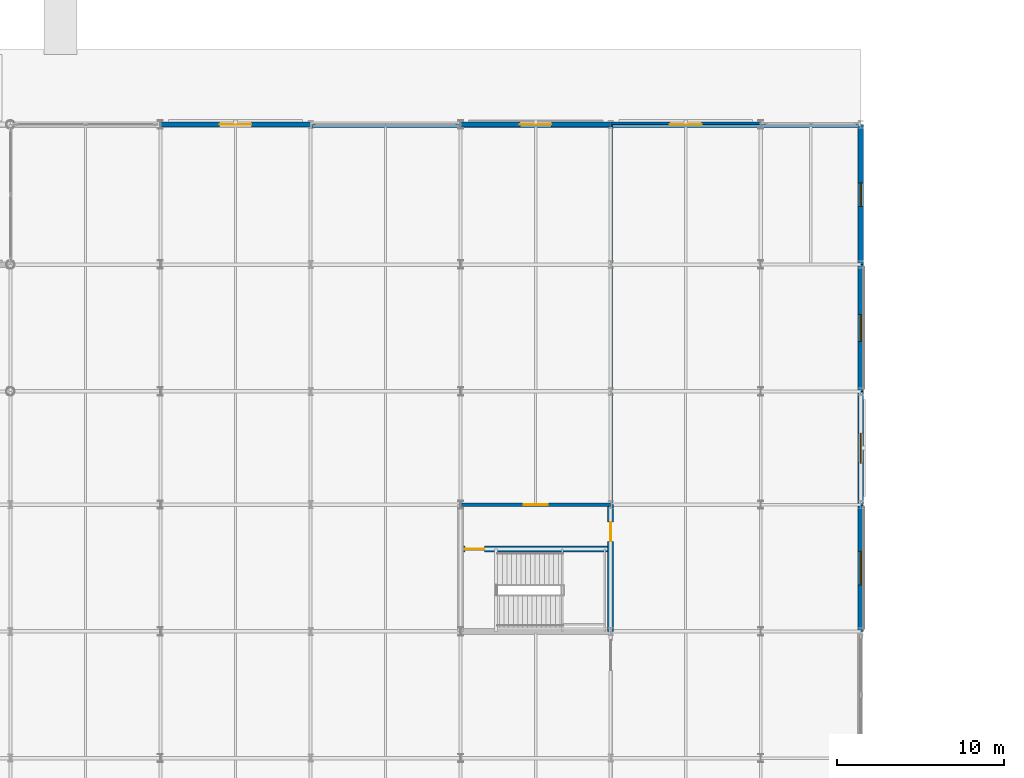
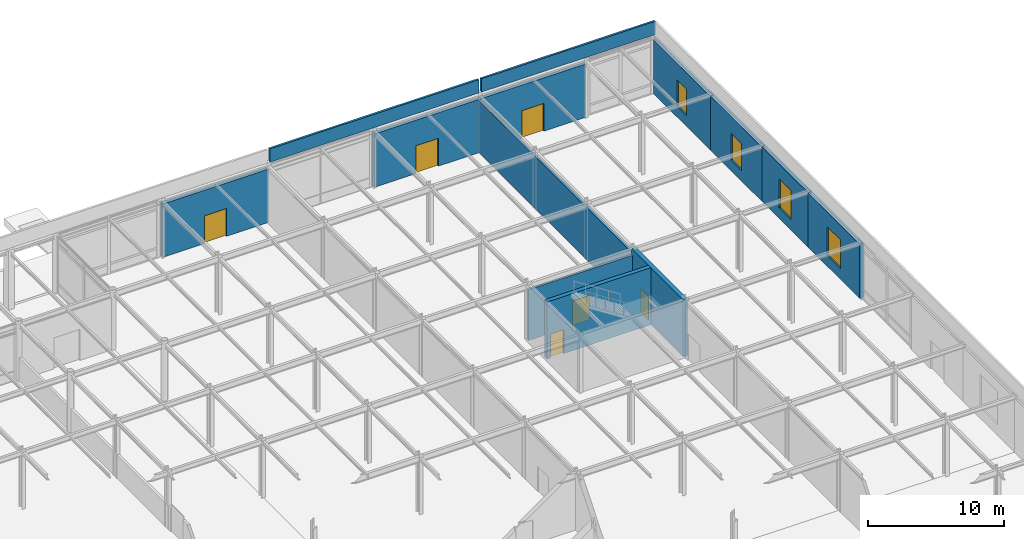
# One storey, part 72 of 89: 13 walls, 6 doors, 4 windows, 10 openings.
"""IFC4 building model written with IfcOpenShell, lengths in metres."""

from ifc_helpers import new_model, si_unit, direction, frame, frame_2d, origin, place, context, subcontext, project, spatial, rectangle, extrude, material, layer, layer_set, type_object, element, fill, save


model = new_model("IFC4")

# Units and contexts
model_context = context("Model", 3, precision=1e-05, world=origin(), true_north=direction((0.0, 1.0)))
body_context = subcontext(model_context, "Body", "Model", "MODEL_VIEW")
ifc_project = project(units=[si_unit("LENGTHUNIT", "METRE"), si_unit("AREAUNIT", "SQUARE_METRE"), si_unit("VOLUMEUNIT", "CUBIC_METRE"), si_unit("PLANEANGLEUNIT", "RADIAN"), si_unit("MASSUNIT", "GRAM", prefix="KILO")], contexts=[model_context])

# Site, building, storey
site_placement = place(None, origin())
site = spatial("IfcSite", under=ifc_project, at=site_placement, CompositionType="ELEMENT")
building_placement = place(site_placement, origin())
building = spatial("IfcBuilding", under=site, at=building_placement, Name="Shalkamar Park Central Library", CompositionType="ELEMENT")
storey_placement = place(building_placement, origin())
storey = spatial("IfcBuildingStorey", under=building, at=storey_placement, Name="L01", CompositionType="ELEMENT", Elevation=0.0)

# Wall, opening, door
ifc_material_1 = material(Name="Fire-rated corridor partition wall", Category="masonry")
ifc_layer_1 = layer(ifc_material_1, 0.199951171875)
ifc_layer_set_1 = layer_set([ifc_layer_1], Name="CorridorFireWall_200")
wall_type_1 = type_object("IfcWallType", Name="Corridor Fire Wall 200", PredefinedType="PARTITIONING", material=ifc_layer_set_1)
wall_1_placement = place(storey_placement, frame((264.0, 331.199951171875, 0.0), z_axis=(0.0, 0.0, 1.0), x_axis=(1.0, 0.0, 0.0)))
wall_1 = element("IfcWall", 1, at=wall_1_placement, inside=storey, type_object=wall_type_1, Name="CORE-P6 Vestibule North Wall (L01)", PredefinedType="PARTITIONING", context=body_context, shape_type="SweptSolid", body=[
    extrude(rectangle(XDim=9.0, YDim=0.199951171875, at=frame_2d((4.5, 0.0))), origin(), (0.0, 0.0, 1.0), 4.587890625),
])
opening_1_placement = place(wall_1_placement, frame((3.77490234375, 0.0, 0.0)))
opening_1 = element("IfcOpeningElement", 2, at=opening_1_placement, cuts=wall_1, Name="Opening DR-ST-P6-L01-VEST", PredefinedType="OPENING", context=body_context, shape_type="SweptSolid", body=[
    extrude(rectangle(XDim=1.449951171875, YDim=2.199951171875, at=frame_2d((0.72509765625, 1.10009765625))), frame((0.0, 0.11474609375, 0.0), z_axis=(0.0, -1.0, 0.0), x_axis=(1.0, 0.0, 0.0)), (0.0, 0.0, 1.0), 0.229736328125),
])
ifc_material_2 = material(Name="Steel S355", Category="steel")
door_type_1 = type_object("IfcDoorType", Name="Stair Vestibule Door 1450x2200", OperationType="DOUBLE_DOOR_SINGLE_SWING", PredefinedType="DOOR", material=ifc_material_2)
door_1_placement = place(opening_1_placement, origin())
door_1 = element("IfcDoor", 3, at=door_1_placement, inside=storey, type_object=door_type_1, Name="Protected Stair ST-P6 Vestibule Door (L01)", OperationType="DOUBLE_DOOR_SINGLE_SWING", OverallHeight=2.199951171875, OverallWidth=1.449951171875, PredefinedType="DOOR", context=body_context, shape_type="SweptSolid", body=[
    extrude(rectangle(XDim=1.449951171875, YDim=2.199951171875, at=frame_2d((0.72509765625, 1.10009765625))), frame((0.0, 0.02490234375, 0.0), z_axis=(0.0, -1.0, 0.0), x_axis=(1.0, 0.0, 0.0)), (0.0, 0.0, 1.0), 0.050048828125),
])
fill(opening_1, door_1)

# Wall
wall_2_placement = place(storey_placement, frame((273.0, 331.199951171875, 0.0), z_axis=(0.0, 0.0, 1.0), x_axis=(0.0, 1.0, 0.0)))
element("IfcWall", 4, at=wall_2_placement, inside=storey, type_object=wall_type_1, Name="Interior Partition WL-INT-L01-035-S2", PredefinedType="PARTITIONING", context=body_context, shape_type="SweptSolid", body=[
    extrude(rectangle(XDim=22.800048828125, YDim=0.199951171875, at=frame_2d((11.39990234375, 0.0))), origin(), (0.0, 0.0, 1.0), 4.697998046875),
])

# Wall, opening, door
ifc_material_3 = material(Name="Concrete C35/45 precast", Category="concrete")
ifc_layer_2 = layer(ifc_material_3, 0.320068359375)
ifc_layer_set_2 = layer_set([ifc_layer_2], Name="Concrete C35/45 precast")
wall_type_2 = type_object("IfcWallType", Name="Granite Plinth External Wall 320", PredefinedType="SOLIDWALL", material=ifc_layer_set_2)
wall_3_placement = place(storey_placement, frame((246.006103515625, 354.0, 0.0), z_axis=(0.0, 0.0, 1.0), x_axis=(1.0, 0.0, 0.0)))
wall_3 = element("IfcWall", 5, at=wall_3_placement, inside=storey, type_object=wall_type_2, Name="Exterior Facade Wall WL-EXT-L01-026", PredefinedType="SOLIDWALL", context=body_context, shape_type="SweptSolid", body=[
    extrude(rectangle(XDim=8.98779296875, YDim=0.320068359375, at=frame_2d((4.493896484375, 0.0))), origin(), (0.0, 0.0, 1.0), 4.798095703125),
])
opening_2_placement = place(wall_3_placement, frame((3.5439453125, 0.0, 0.0)))
opening_2 = element("IfcOpeningElement", 6, at=opening_2_placement, cuts=wall_3, Name="Opening ED-L01-021", PredefinedType="OPENING", context=body_context, shape_type="SweptSolid", body=[
    extrude(rectangle(XDim=1.89990234375, YDim=2.5, at=frame_2d((0.949951171875, 1.25))), frame((0.0, 0.1748046875, 0.0), z_axis=(0.0, -1.0, 0.0), x_axis=(1.0, 0.0, 0.0)), (0.0, 0.0, 1.0), 0.349853515625),
])
ifc_material_4 = material(Name="Thermally broken insulated aluminium and glazed door", Category="aluminium")
door_type_2 = type_object("IfcDoorType", Name="Park Wing Exit Door 1900x2500", OperationType="DOUBLE_DOOR_SINGLE_SWING", PredefinedType="DOOR", material=ifc_material_4)
door_2_placement = place(opening_2_placement, origin())
door_2 = element("IfcDoor", 7, at=door_2_placement, inside=storey, type_object=door_type_2, Name="North Park Wing Exit Door 17", OperationType="DOUBLE_DOOR_SINGLE_SWING", OverallHeight=2.5, OverallWidth=1.89990234375, PredefinedType="DOOR", context=body_context, shape_type="SweptSolid", body=[
    extrude(rectangle(XDim=1.89990234375, YDim=2.5, at=frame_2d((0.949951171875, 1.25))), frame((0.0, 0.02490234375, 0.0), z_axis=(0.0, -1.0, 0.0), x_axis=(1.0, 0.0, 0.0)), (0.0, 0.0, 1.0), 0.050048828125),
])
fill(opening_2, door_2)

wall_4_placement = place(storey_placement, frame((264.006103515625, 354.0, 0.0), z_axis=(0.0, 0.0, 1.0), x_axis=(1.0, 0.0, 0.0)))
wall_4 = element("IfcWall", 8, at=wall_4_placement, inside=storey, type_object=wall_type_2, Name="Exterior Facade Wall WL-EXT-L01-027", PredefinedType="SOLIDWALL", context=body_context, shape_type="SweptSolid", body=[
    extrude(rectangle(XDim=8.98779296875, YDim=0.320068359375, at=frame_2d((4.493896484375, 0.0))), origin(), (0.0, 0.0, 1.0), 4.798095703125),
])
opening_3_placement = place(wall_4_placement, frame((3.5439453125, 0.0, 0.0)))
opening_3 = element("IfcOpeningElement", 9, at=opening_3_placement, cuts=wall_4, Name="Opening ED-L01-022", PredefinedType="OPENING", context=body_context, shape_type="SweptSolid", body=[
    extrude(rectangle(XDim=1.89990234375, YDim=2.5, at=frame_2d((0.949951171875, 1.25))), frame((0.0, 0.1748046875, 0.0), z_axis=(0.0, -1.0, 0.0), x_axis=(1.0, 0.0, 0.0)), (0.0, 0.0, 1.0), 0.349853515625),
])
door_3_placement = place(opening_3_placement, origin())
door_3 = element("IfcDoor", 10, at=door_3_placement, inside=storey, type_object=door_type_2, Name="North Park Wing Exit Door 19", OperationType="DOUBLE_DOOR_SINGLE_SWING", OverallHeight=2.5, OverallWidth=1.89990234375, PredefinedType="DOOR", context=body_context, shape_type="SweptSolid", body=[
    extrude(rectangle(XDim=1.89990234375, YDim=2.5, at=frame_2d((0.949951171875, 1.25))), frame((0.0, 0.02490234375, 0.0), z_axis=(0.0, -1.0, 0.0), x_axis=(1.0, 0.0, 0.0)), (0.0, 0.0, 1.0), 0.050048828125),
])
fill(opening_3, door_3)

wall_5_placement = place(storey_placement, frame((273.006103515625, 354.0, 0.0), z_axis=(0.0, 0.0, 1.0), x_axis=(1.0, 0.0, 0.0)))
wall_5 = element("IfcWall", 11, at=wall_5_placement, inside=storey, type_object=wall_type_2, Name="Exterior Facade Wall WL-EXT-L01-028", PredefinedType="SOLIDWALL", context=body_context, shape_type="SweptSolid", body=[
    extrude(rectangle(XDim=8.98779296875, YDim=0.320068359375, at=frame_2d((4.493896484375, 0.0))), origin(), (0.0, 0.0, 1.0), 4.798095703125),
])
opening_4_placement = place(wall_5_placement, frame((3.5439453125, 0.0, 0.0)))
opening_4 = element("IfcOpeningElement", 12, at=opening_4_placement, cuts=wall_5, Name="Opening ED-L01-023", PredefinedType="OPENING", context=body_context, shape_type="SweptSolid", body=[
    extrude(rectangle(XDim=1.89990234375, YDim=2.5, at=frame_2d((0.949951171875, 1.25))), frame((0.0, 0.1748046875, 0.0), z_axis=(0.0, -1.0, 0.0), x_axis=(1.0, 0.0, 0.0)), (0.0, 0.0, 1.0), 0.349853515625),
])
door_4_placement = place(opening_4_placement, origin())
door_4 = element("IfcDoor", 13, at=door_4_placement, inside=storey, type_object=door_type_2, Name="North Park Wing Exit Door 20", OperationType="DOUBLE_DOOR_SINGLE_SWING", OverallHeight=2.5, OverallWidth=1.89990234375, PredefinedType="DOOR", context=body_context, shape_type="SweptSolid", body=[
    extrude(rectangle(XDim=1.89990234375, YDim=2.5, at=frame_2d((0.949951171875, 1.25))), frame((0.0, 0.02490234375, 0.0), z_axis=(0.0, -1.0, 0.0), x_axis=(1.0, 0.0, 0.0)), (0.0, 0.0, 1.0), 0.050048828125),
])
fill(opening_4, door_4)

# Wall, opening, window
wall_6_placement = place(storey_placement, frame((288.0, 323.60595703125, 0.0), z_axis=(0.0, 0.0, 1.0), x_axis=(0.0, 1.0, 0.0)))
wall_6 = element("IfcWall", 14, at=wall_6_placement, inside=storey, type_object=wall_type_2, Name="Exterior Facade Wall WL-EXT-L01-051", PredefinedType="SOLIDWALL", context=body_context, shape_type="SweptSolid", body=[
    extrude(rectangle(XDim=7.588134765625, YDim=0.320068359375, at=frame_2d((3.7939453125, 0.0))), origin(), (0.0, 0.0, 1.0), 4.8779296875),
])
opening_5_placement = place(wall_6_placement, frame((2.7939453125, 0.0, 0.949951171875)))
opening_5 = element("IfcOpeningElement", 15, at=opening_5_placement, cuts=wall_6, Name="Opening WN-05", PredefinedType="OPENING", context=body_context, shape_type="SweptSolid", body=[
    extrude(rectangle(XDim=2.0, YDim=2.60009765625, at=frame_2d((1.0, 1.300048828125))), frame((0.0, 0.1748046875, 0.0), z_axis=(0.0, -1.0, 0.0), x_axis=(1.0, 0.0, 0.0)), (0.0, 0.0, 1.0), 0.349853515625),
])
ifc_material_5 = material(Name="Thermally broken aluminium and triple low-e glass", Category="glass")
window_type_1 = type_object("IfcWindowType", Name="Podium Window 2000x2600", PartitioningType="DOUBLE_PANEL_VERTICAL", PredefinedType="WINDOW", material=ifc_material_5)
window_1_placement = place(opening_5_placement, origin())
window_1 = element("IfcWindow", 16, at=window_1_placement, inside=storey, type_object=window_type_1, Name="Facade Window WN-L01-020", OverallHeight=2.60009765625, OverallWidth=2.0, PartitioningType="DOUBLE_PANEL_VERTICAL", PredefinedType="WINDOW", context=body_context, shape_type="SweptSolid", body=[
    extrude(rectangle(XDim=2.0, YDim=2.60009765625, at=frame_2d((1.0, 1.300048828125))), frame((0.0, 0.030029296875, 0.0), z_axis=(0.0, -1.0, 0.0), x_axis=(1.0, 0.0, 0.0)), (0.0, 0.0, 1.0), 0.06005859375),
])
fill(opening_5, window_1)

wall_7_placement = place(storey_placement, frame((288.0, 331.2060546875, 0.0), z_axis=(0.0, 0.0, 1.0), x_axis=(0.0, 1.0, 0.0)))
wall_7 = element("IfcWall", 17, at=wall_7_placement, inside=storey, type_object=wall_type_2, Name="Exterior Facade Wall WL-EXT-L01-052", PredefinedType="SOLIDWALL", context=body_context, shape_type="SweptSolid", body=[
    extrude(rectangle(XDim=6.787841796875, YDim=0.320068359375, at=frame_2d((3.39404296875, 0.0))), origin(), (0.0, 0.0, 1.0), 4.91796875),
])
opening_6_placement = place(wall_7_placement, frame((2.493896484375, 0.0, 0.949951171875)))
opening_6 = element("IfcOpeningElement", 18, at=opening_6_placement, cuts=wall_7, Name="Opening WN-06", PredefinedType="OPENING", context=body_context, shape_type="SweptSolid", body=[
    extrude(rectangle(XDim=1.800048828125, YDim=2.60009765625, at=frame_2d((0.89990234375, 1.300048828125))), frame((0.0, 0.1748046875, 0.0), z_axis=(0.0, -1.0, 0.0), x_axis=(1.0, 0.0, 0.0)), (0.0, 0.0, 1.0), 0.349853515625),
])
window_type_2 = type_object("IfcWindowType", Name="Podium Window 1800x2600", PartitioningType="DOUBLE_PANEL_VERTICAL", PredefinedType="WINDOW", material=ifc_material_5)
window_2_placement = place(opening_6_placement, origin())
window_2 = element("IfcWindow", 19, at=window_2_placement, inside=storey, type_object=window_type_2, Name="Facade Window WN-L01-021", OverallHeight=2.60009765625, OverallWidth=1.800048828125, PartitioningType="DOUBLE_PANEL_VERTICAL", PredefinedType="WINDOW", context=body_context, shape_type="SweptSolid", body=[
    extrude(rectangle(XDim=1.800048828125, YDim=2.60009765625, at=frame_2d((0.89990234375, 1.300048828125))), frame((0.0, 0.030029296875, 0.0), z_axis=(0.0, -1.0, 0.0), x_axis=(1.0, 0.0, 0.0)), (0.0, 0.0, 1.0), 0.06005859375),
])
fill(opening_6, window_2)

wall_8_placement = place(storey_placement, frame((288.0, 338.006103515625, 0.0), z_axis=(0.0, 0.0, 1.0), x_axis=(0.0, 1.0, 0.0)))
wall_8 = element("IfcWall", 20, at=wall_8_placement, inside=storey, type_object=wall_type_2, Name="Exterior Facade Wall WL-EXT-L01-053", PredefinedType="SOLIDWALL", context=body_context, shape_type="SweptSolid", body=[
    extrude(rectangle(XDim=7.587890625, YDim=0.320068359375, at=frame_2d((3.7939453125, 0.0))), origin(), (0.0, 0.0, 1.0), 4.8779296875),
])
opening_7_placement = place(wall_8_placement, frame((2.993896484375, 0.0, 0.949951171875)))
opening_7 = element("IfcOpeningElement", 21, at=opening_7_placement, cuts=wall_8, Name="Opening WN-07", PredefinedType="OPENING", context=body_context, shape_type="SweptSolid", body=[
    extrude(rectangle(XDim=1.60009765625, YDim=2.39990234375, at=frame_2d((0.800048828125, 1.199951171875))), frame((0.0, 0.1748046875, 0.0), z_axis=(0.0, -1.0, 0.0), x_axis=(1.0, 0.0, 0.0)), (0.0, 0.0, 1.0), 0.349853515625),
])
window_type_3 = type_object("IfcWindowType", Name="Podium Window 1600x2400", PartitioningType="SINGLE_PANEL", PredefinedType="WINDOW", material=ifc_material_5)
window_3_placement = place(opening_7_placement, origin())
window_3 = element("IfcWindow", 22, at=window_3_placement, inside=storey, type_object=window_type_3, Name="Facade Window WN-L01-022", OverallHeight=2.39990234375, OverallWidth=1.60009765625, PartitioningType="SINGLE_PANEL", PredefinedType="WINDOW", context=body_context, shape_type="SweptSolid", body=[
    extrude(rectangle(XDim=1.60009765625, YDim=2.39990234375, at=frame_2d((0.800048828125, 1.199951171875))), frame((0.0, 0.030029296875, 0.0), z_axis=(0.0, -1.0, 0.0), x_axis=(1.0, 0.0, 0.0)), (0.0, 0.0, 1.0), 0.06005859375),
])
fill(opening_7, window_3)

wall_9_placement = place(storey_placement, frame((288.0, 345.60595703125, 0.0), z_axis=(0.0, 0.0, 1.0), x_axis=(0.0, 1.0, 0.0)))
wall_9 = element("IfcWall", 23, at=wall_9_placement, inside=storey, type_object=wall_type_2, Name="Exterior Facade Wall WL-EXT-L01-054", PredefinedType="SOLIDWALL", context=body_context, shape_type="SweptSolid", body=[
    extrude(rectangle(XDim=8.387939453125, YDim=0.320068359375, at=frame_2d((4.19384765625, 0.0))), origin(), (0.0, 0.0, 1.0), 4.837890625),
])
opening_8_placement = place(wall_9_placement, frame((3.493896484375, 0.0, 0.949951171875)))
opening_8 = element("IfcOpeningElement", 24, at=opening_8_placement, cuts=wall_9, Name="Opening WN-08", PredefinedType="OPENING", context=body_context, shape_type="SweptSolid", body=[
    extrude(rectangle(XDim=1.39990234375, YDim=2.39990234375, at=frame_2d((0.699951171875, 1.199951171875))), frame((0.0, 0.1748046875, 0.0), z_axis=(0.0, -1.0, 0.0), x_axis=(1.0, 0.0, 0.0)), (0.0, 0.0, 1.0), 0.349853515625),
])
window_type_4 = type_object("IfcWindowType", Name="Podium Window 1400x2400", PartitioningType="SINGLE_PANEL", PredefinedType="WINDOW", material=ifc_material_5)
window_4_placement = place(opening_8_placement, origin())
window_4 = element("IfcWindow", 25, at=window_4_placement, inside=storey, type_object=window_type_4, Name="Facade Window WN-L01-023", OverallHeight=2.39990234375, OverallWidth=1.39990234375, PartitioningType="SINGLE_PANEL", PredefinedType="WINDOW", context=body_context, shape_type="SweptSolid", body=[
    extrude(rectangle(XDim=1.39990234375, YDim=2.39990234375, at=frame_2d((0.699951171875, 1.199951171875))), frame((0.0, 0.030029296875, 0.0), z_axis=(0.0, -1.0, 0.0), x_axis=(1.0, 0.0, 0.0)), (0.0, 0.0, 1.0), 0.06005859375),
])
fill(opening_8, window_4)

# Wall, opening, door
ifc_material_6 = material(Name="Concrete C40/50", Category="concrete")
ifc_layer_3 = layer(ifc_material_6, 0.35009765625)
ifc_layer_set_3 = layer_set([ifc_layer_3], Name="Concrete C40/50")
wall_type_3 = type_object("IfcWallType", Name="Podium Core Shear Wall 350", PredefinedType="SHEAR", material=ifc_layer_set_3)
wall_10_placement = place(storey_placement, frame((273.0, 323.60009765625, 0.0), z_axis=(0.0, 0.0, 1.0), x_axis=(0.0, 1.0, 0.0)))
wall_10 = element("IfcWall", 26, at=wall_10_placement, inside=storey, type_object=wall_type_3, Name="CORE-P6 East Shear Wall (L01)", PredefinedType="SHEAR", context=body_context, shape_type="SweptSolid", body=[
    extrude(rectangle(XDim=7.599853515625, YDim=0.35009765625, at=frame_2d((3.7998046875, 0.0))), origin(), (0.0, 0.0, 1.0), 5.139892578125),
])
opening_9_placement = place(wall_10_placement, frame((5.39990234375, 0.0, 0.0)))
opening_9 = element("IfcOpeningElement", 27, at=opening_9_placement, cuts=wall_10, Name="Opening DR-ST-P6-L01-DIS", PredefinedType="OPENING", context=body_context, shape_type="SweptSolid", body=[
    extrude(rectangle(XDim=1.14990234375, YDim=2.14990234375, at=frame_2d((0.574951171875, 1.074951171875))), frame((0.0, 0.18994140625, 0.0), z_axis=(0.0, -1.0, 0.0), x_axis=(1.0, 0.0, 0.0)), (0.0, 0.0, 1.0), 0.3798828125),
])
door_type_3 = type_object("IfcDoorType", Name="Stair Core Exit Door 1150x2150", OperationType="NOTDEFINED", PredefinedType="DOOR", material=ifc_material_2)
door_5_placement = place(opening_9_placement, frame((1.14990234375, 0.0, 0.0), z_axis=(0.0, 0.0, 1.0), x_axis=(-1.0, 0.0, 0.0)))
door_5 = element("IfcDoor", 28, at=door_5_placement, inside=storey, type_object=door_type_3, Name="Protected Stair ST-P6 Grade Discharge Door", OperationType="SINGLE_SWING_LEFT", OverallHeight=2.14990234375, OverallWidth=1.14990234375, PredefinedType="DOOR", context=body_context, shape_type="SweptSolid", body=[
    extrude(rectangle(XDim=1.14990234375, YDim=2.14990234375, at=frame_2d((0.574951171875, 1.074951171875))), frame((0.0, 0.02490234375, 0.0), z_axis=(0.0, -1.0, 0.0), x_axis=(1.0, 0.0, 0.0)), (0.0, 0.0, 1.0), 0.050048828125),
])
fill(opening_9, door_5)

wall_11_placement = place(storey_placement, frame((264.0, 328.550048828125, 0.0), z_axis=(0.0, 0.0, 1.0), x_axis=(1.0, 0.0, 0.0)))
wall_11 = element("IfcWall", 29, at=wall_11_placement, inside=storey, type_object=wall_type_3, Name="CORE-P6 Stairwell Wall (L01)", PredefinedType="SHEAR", context=body_context, shape_type="SweptSolid", body=[
    extrude(rectangle(XDim=9.0, YDim=0.35009765625, at=frame_2d((4.5, 0.0))), origin(), (0.0, 0.0, 1.0), 5.139892578125),
])
opening_10_placement = place(wall_11_placement, frame((0.27490234375, 0.0, 0.0)))
opening_10 = element("IfcOpeningElement", 30, at=opening_10_placement, cuts=wall_11, Name="Opening DR-ST-P6-L01-IN", PredefinedType="OPENING", context=body_context, shape_type="SweptSolid", body=[
    extrude(rectangle(XDim=1.14990234375, YDim=2.14990234375, at=frame_2d((0.574951171875, 1.074951171875))), frame((0.0, 0.18994140625, 0.0), z_axis=(0.0, -1.0, 0.0), x_axis=(1.0, 0.0, 0.0)), (0.0, 0.0, 1.0), 0.3798828125),
])
door_6_placement = place(opening_10_placement, origin())
door_6 = element("IfcDoor", 31, at=door_6_placement, inside=storey, type_object=door_type_3, Name="Protected Stair ST-P6 Exit Door (L01)", OperationType="SINGLE_SWING_LEFT", OverallHeight=2.14990234375, OverallWidth=1.14990234375, PredefinedType="DOOR", context=body_context, shape_type="SweptSolid", body=[
    extrude(rectangle(XDim=1.14990234375, YDim=2.14990234375, at=frame_2d((0.574951171875, 1.074951171875))), frame((0.0, 0.02490234375, 0.0), z_axis=(0.0, -1.0, 0.0), x_axis=(1.0, 0.0, 0.0)), (0.0, 0.0, 1.0), 0.050048828125),
])
fill(opening_10, door_6)

# Walls
ifc_layer_4 = layer(ifc_material_3, 0.179931640625)
ifc_layer_set_4 = layer_set([ifc_layer_4], Name="Concrete C35/45 precast")
wall_type_4 = type_object("IfcWallType", Name="Roof Parapet Wall 180", PredefinedType="PARAPET", material=ifc_layer_set_4)
wall_12_placement = place(storey_placement, frame((273.10009765625, 353.89990234375, 5.39990234375), z_axis=(0.0, 0.0, 1.0), x_axis=(1.0, 0.0, 0.0)))
element("IfcWall", 32, at=wall_12_placement, inside=storey, type_object=wall_type_4, Name="Roof Parapet Wall L01-06", PredefinedType="PARAPET", context=body_context, shape_type="SweptSolid", body=[
    extrude(rectangle(XDim=14.7998046875, YDim=0.179931640625, at=frame_2d((7.39990234375, 0.0))), origin(), (0.0, 0.0, 1.0), 1.2001953125),
])
wall_13_placement = place(storey_placement, frame((255.10009765625, 353.89990234375, 5.39990234375), z_axis=(0.0, 0.0, 1.0), x_axis=(1.0, 0.0, 0.0)))
element("IfcWall", 33, at=wall_13_placement, inside=storey, type_object=wall_type_4, Name="Roof Parapet Wall L01-09", PredefinedType="PARAPET", context=body_context, shape_type="SweptSolid", body=[
    extrude(rectangle(XDim=17.7998046875, YDim=0.179931640625, at=frame_2d((8.89990234375, 0.0))), origin(), (0.0, 0.0, 1.0), 1.2001953125),
])

save(model, "model.ifc")
